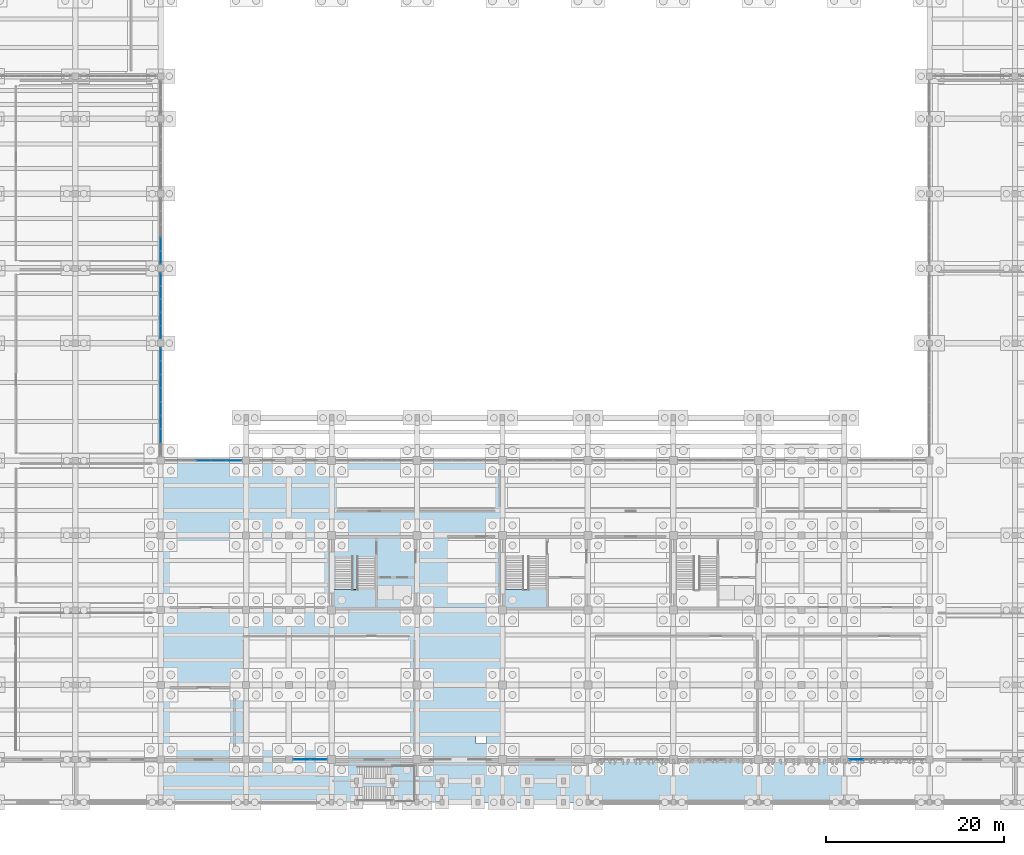
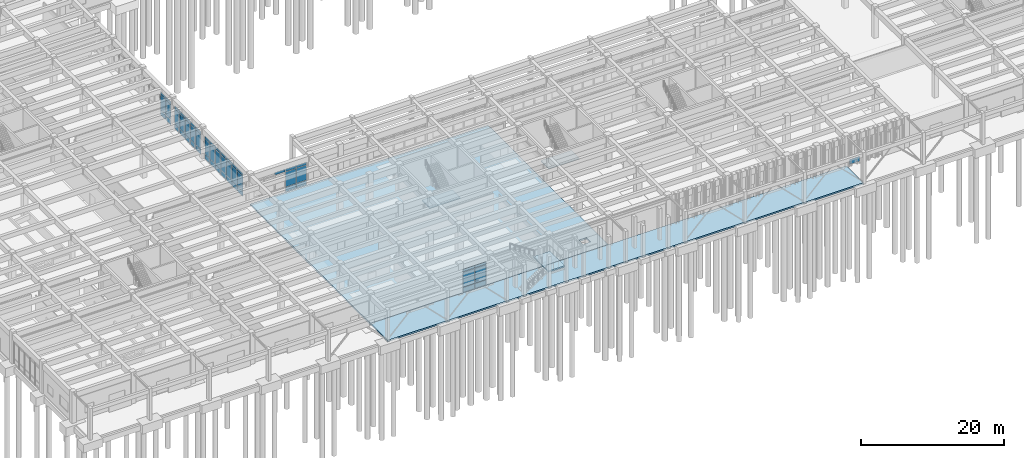
# One storey, part 57 of 102: 56 plates, 5 slabs, 9 elements without a shape of their own.
"""IFC4 building model written with IfcOpenShell, lengths in metres."""

from ifc_helpers import new_model, si_unit, direction, frame, origin, origin_2d, place, context, subcontext, project, spatial, polyline, rectangle, outline, extrude, material, layer, layer_set, type_object, element, aggregate, save


model = new_model("IFC4")

# Units and contexts
model_context = context("Model", 3, precision=1e-05, world=origin(), true_north=direction((0.0, 1.0)))
body_context = subcontext(model_context, "Body", "Model", "MODEL_VIEW")
ifc_project = project(units=[si_unit("LENGTHUNIT", "METRE"), si_unit("AREAUNIT", "SQUARE_METRE"), si_unit("VOLUMEUNIT", "CUBIC_METRE"), si_unit("PLANEANGLEUNIT", "RADIAN"), si_unit("MASSUNIT", "GRAM", prefix="KILO")], contexts=[model_context])

# Site, building, storey
site_placement = place(None, origin())
site = spatial("IfcSite", under=ifc_project, at=site_placement, CompositionType="ELEMENT")
building_placement = place(site_placement, origin())
building = spatial("IfcBuilding", under=site, at=building_placement, Name="Kolvemor Railside Polytechnic", CompositionType="ELEMENT")
storey_placement = place(building_placement, origin())
storey = spatial("IfcBuildingStorey", under=building, at=storey_placement, Name="L00", CompositionType="ELEMENT", Elevation=0.0)

# Curtain wall, plates
ifc_material_1 = material(Name="Anodised marine aluminium and laminated low-E glass", Category="aluminium")
ifc_layer_1 = layer(ifc_material_1, 0.179931640625, Name="CW-UNIT-STD")
ifc_layer_set_1 = layer_set([ifc_layer_1], Name="Anodised marine aluminium and laminated low-E glass")
curtain_wall_type = type_object("IfcCurtainWallType", Name="CW-UNIT-STD", PredefinedType="USERDEFINED", material=ifc_layer_set_1)
curtain_wall_1_placement = place(storey_placement, origin())
curtain_wall_1 = element("IfcCurtainWall", 1, at=curtain_wall_1_placement, inside=storey, type_object=curtain_wall_type, Name="Curtain Wall L00-106", ObjectType="UNITISED CURTAIN WALL", PredefinedType="USERDEFINED")
ifc_material_2 = material(Name="Hurricane-laminated solar-control low-E glass", Category="glass")
ifc_layer_2 = layer(ifc_material_2, 0.02392578125, Name="CWP-GLZ-02")
ifc_layer_set_2 = layer_set([ifc_layer_2], Name="Hurricane-laminated solar-control low-E glass")
plate_type_1 = type_object("IfcPlateType", Name="CWP-GLZ-02", PredefinedType="CURTAIN_PANEL", material=ifc_layer_set_2)
plate_1_placement = place(storey_placement, frame((56.247802734375, 38.39990234375, 0.06494140625), z_axis=(0.0, 0.0, 1.0), x_axis=(-1.0, 0.0, 0.0)))
plate_1 = element("IfcPlate", 2, at=plate_1_placement, type_object=plate_type_1, Name="CW-STD panel 1.1", PredefinedType="CURTAIN_PANEL", context=body_context, shape_type="SweptSolid", body=[
    extrude(rectangle(XDim=1.634521484375, YDim=0.02392578125, at=origin_2d()), origin(), (0.0, 0.0, 1.0), 0.802490234375),
])
plate_2_placement = place(storey_placement, frame((56.247802734375, 38.39990234375, 0.9326171875), z_axis=(0.0, 0.0, 1.0), x_axis=(-1.0, 0.0, 0.0)))
plate_2 = element("IfcPlate", 3, at=plate_2_placement, type_object=plate_type_1, Name="CW-STD panel 1.2", PredefinedType="CURTAIN_PANEL", context=body_context, shape_type="SweptSolid", body=[
    extrude(rectangle(XDim=1.634521484375, YDim=0.02392578125, at=origin_2d()), origin(), (0.0, 0.0, 1.0), 2.52490234375),
])
plate_3_placement = place(storey_placement, frame((56.247802734375, 38.39990234375, 3.5224609375), z_axis=(0.0, 0.0, 1.0), x_axis=(-1.0, 0.0, 0.0)))
plate_3 = element("IfcPlate", 4, at=plate_3_placement, type_object=plate_type_1, Name="CW-STD panel 1.3", PredefinedType="CURTAIN_PANEL", context=body_context, shape_type="SweptSolid", body=[
    extrude(rectangle(XDim=1.634521484375, YDim=0.02392578125, at=origin_2d()), origin(), (0.0, 0.0, 1.0), 0.452392578125),
])
plate_4_placement = place(storey_placement, frame((54.531982421875, 38.39990234375, 0.06494140625), z_axis=(0.0, 0.0, 1.0), x_axis=(-1.0, 0.0, 0.0)))
plate_4 = element("IfcPlate", 5, at=plate_4_placement, type_object=plate_type_1, Name="CW-STD panel 2.1", PredefinedType="CURTAIN_PANEL", context=body_context, shape_type="SweptSolid", body=[
    extrude(rectangle(XDim=1.6669921875, YDim=0.02392578125, at=origin_2d()), origin(), (0.0, 0.0, 1.0), 0.802490234375),
])
plate_5_placement = place(storey_placement, frame((54.531982421875, 38.39990234375, 0.9326171875), z_axis=(0.0, 0.0, 1.0), x_axis=(-1.0, 0.0, 0.0)))
plate_5 = element("IfcPlate", 6, at=plate_5_placement, type_object=plate_type_1, Name="CW-STD panel 2.2", PredefinedType="CURTAIN_PANEL", context=body_context, shape_type="SweptSolid", body=[
    extrude(rectangle(XDim=1.6669921875, YDim=0.02392578125, at=origin_2d()), origin(), (0.0, 0.0, 1.0), 2.52490234375),
])
plate_6_placement = place(storey_placement, frame((54.531982421875, 38.39990234375, 3.5224609375), z_axis=(0.0, 0.0, 1.0), x_axis=(-1.0, 0.0, 0.0)))
plate_6 = element("IfcPlate", 7, at=plate_6_placement, type_object=plate_type_1, Name="CW-STD panel 2.3", PredefinedType="CURTAIN_PANEL", context=body_context, shape_type="SweptSolid", body=[
    extrude(rectangle(XDim=1.6669921875, YDim=0.02392578125, at=origin_2d()), origin(), (0.0, 0.0, 1.0), 0.452392578125),
])
plate_7_placement = place(storey_placement, frame((52.800048828125, 38.39990234375, 3.5224609375), z_axis=(0.0, 0.0, 1.0), x_axis=(-1.0, 0.0, 0.0)))
plate_7 = element("IfcPlate", 8, at=plate_7_placement, type_object=plate_type_1, Name="CW-STD panel 3.3", PredefinedType="CURTAIN_PANEL", context=body_context, shape_type="SweptSolid", body=[
    extrude(rectangle(XDim=1.6669921875, YDim=0.02392578125, at=origin_2d()), origin(), (0.0, 0.0, 1.0), 0.452392578125),
])
aggregate(curtain_wall_1, [plate_1, plate_2, plate_3, plate_4, plate_5, plate_6, plate_7])

curtain_wall_2_placement = place(storey_placement, origin())
curtain_wall_2 = element("IfcCurtainWall", 9, at=curtain_wall_2_placement, inside=storey, type_object=curtain_wall_type, Name="Curtain Wall L00-055", ObjectType="UNITISED CURTAIN WALL", PredefinedType="USERDEFINED")
ifc_material_3 = material(Name="Hurricane-laminated solar-control low-E glass", Category="glass")
ifc_layer_3 = layer(ifc_material_3, 0.035888671875, Name="CWP-GLZ-08")
ifc_layer_set_3 = layer_set([ifc_layer_3], Name="Hurricane-laminated solar-control low-E glass")
plate_type_2 = type_object("IfcPlateType", Name="CWP-GLZ-08", PredefinedType="CURTAIN_PANEL", material=ifc_layer_set_3)
plate_8_placement = place(storey_placement, frame((48.0, 41.168701171875, 0.06494140625), z_axis=(0.0, 0.0, 1.0), x_axis=(0.0, 1.0, 0.0)))
plate_8 = element("IfcPlate", 10, at=plate_8_placement, type_object=plate_type_2, Name="CW-STD panel 2.1", PredefinedType="CURTAIN_PANEL", context=body_context, shape_type="SweptSolid", body=[
    extrude(rectangle(XDim=1.467529296875, YDim=0.035888671875, at=origin_2d()), origin(), (0.0, 0.0, 1.0), 0.802490234375),
])
plate_9_placement = place(storey_placement, frame((48.0, 41.168701171875, 0.9326171875), z_axis=(0.0, 0.0, 1.0), x_axis=(0.0, 1.0, 0.0)))
plate_9 = element("IfcPlate", 11, at=plate_9_placement, type_object=plate_type_2, Name="CW-STD panel 2.2", PredefinedType="CURTAIN_PANEL", context=body_context, shape_type="SweptSolid", body=[
    extrude(rectangle(XDim=1.467529296875, YDim=0.035888671875, at=origin_2d()), origin(), (0.0, 0.0, 1.0), 2.52490234375),
])
plate_10_placement = place(storey_placement, frame((48.0, 41.168701171875, 3.5224609375), z_axis=(0.0, 0.0, 1.0), x_axis=(0.0, 1.0, 0.0)))
plate_10 = element("IfcPlate", 12, at=plate_10_placement, type_object=plate_type_2, Name="CW-STD panel 2.3", PredefinedType="CURTAIN_PANEL", context=body_context, shape_type="SweptSolid", body=[
    extrude(rectangle(XDim=1.467529296875, YDim=0.035888671875, at=origin_2d()), origin(), (0.0, 0.0, 1.0), 0.452392578125),
])
plate_11_placement = place(storey_placement, frame((48.0, 42.701171875, 0.06494140625), z_axis=(0.0, 0.0, 1.0), x_axis=(0.0, 1.0, 0.0)))
plate_11 = element("IfcPlate", 13, at=plate_11_placement, type_object=plate_type_2, Name="CW-STD panel 3.1", PredefinedType="CURTAIN_PANEL", context=body_context, shape_type="SweptSolid", body=[
    extrude(rectangle(XDim=1.467529296875, YDim=0.035888671875, at=origin_2d()), origin(), (0.0, 0.0, 1.0), 0.802490234375),
])
plate_12_placement = place(storey_placement, frame((48.0, 42.701171875, 0.9326171875), z_axis=(0.0, 0.0, 1.0), x_axis=(0.0, 1.0, 0.0)))
plate_12 = element("IfcPlate", 14, at=plate_12_placement, type_object=plate_type_2, Name="CW-STD panel 3.2", PredefinedType="CURTAIN_PANEL", context=body_context, shape_type="SweptSolid", body=[
    extrude(rectangle(XDim=1.467529296875, YDim=0.035888671875, at=origin_2d()), origin(), (0.0, 0.0, 1.0), 2.52490234375),
])
plate_13_placement = place(storey_placement, frame((48.0, 42.701171875, 3.5224609375), z_axis=(0.0, 0.0, 1.0), x_axis=(0.0, 1.0, 0.0)))
plate_13 = element("IfcPlate", 15, at=plate_13_placement, type_object=plate_type_2, Name="CW-STD panel 3.3", PredefinedType="CURTAIN_PANEL", context=body_context, shape_type="SweptSolid", body=[
    extrude(rectangle(XDim=1.467529296875, YDim=0.035888671875, at=origin_2d()), origin(), (0.0, 0.0, 1.0), 0.452392578125),
])
plate_14_placement = place(storey_placement, frame((48.0, 44.233642578125, 0.06494140625), z_axis=(0.0, 0.0, 1.0), x_axis=(0.0, 1.0, 0.0)))
plate_14 = element("IfcPlate", 16, at=plate_14_placement, type_object=plate_type_2, Name="CW-STD panel 4.1", PredefinedType="CURTAIN_PANEL", context=body_context, shape_type="SweptSolid", body=[
    extrude(rectangle(XDim=1.467529296875, YDim=0.035888671875, at=origin_2d()), origin(), (0.0, 0.0, 1.0), 0.802490234375),
])
plate_15_placement = place(storey_placement, frame((48.0, 44.233642578125, 0.9326171875), z_axis=(0.0, 0.0, 1.0), x_axis=(0.0, 1.0, 0.0)))
plate_15 = element("IfcPlate", 17, at=plate_15_placement, type_object=plate_type_2, Name="CW-STD panel 4.2", PredefinedType="CURTAIN_PANEL", context=body_context, shape_type="SweptSolid", body=[
    extrude(rectangle(XDim=1.467529296875, YDim=0.035888671875, at=origin_2d()), origin(), (0.0, 0.0, 1.0), 2.52490234375),
])
plate_16_placement = place(storey_placement, frame((48.0, 44.233642578125, 3.5224609375), z_axis=(0.0, 0.0, 1.0), x_axis=(0.0, 1.0, 0.0)))
plate_16 = element("IfcPlate", 18, at=plate_16_placement, type_object=plate_type_2, Name="CW-STD panel 4.3", PredefinedType="CURTAIN_PANEL", context=body_context, shape_type="SweptSolid", body=[
    extrude(rectangle(XDim=1.467529296875, YDim=0.035888671875, at=origin_2d()), origin(), (0.0, 0.0, 1.0), 0.452392578125),
])
plate_17_placement = place(storey_placement, frame((48.0, 45.766357421875, 0.06494140625), z_axis=(0.0, 0.0, 1.0), x_axis=(0.0, 1.0, 0.0)))
plate_17 = element("IfcPlate", 19, at=plate_17_placement, type_object=plate_type_2, Name="CW-STD panel 5.1", PredefinedType="CURTAIN_PANEL", context=body_context, shape_type="SweptSolid", body=[
    extrude(rectangle(XDim=1.467529296875, YDim=0.035888671875, at=origin_2d()), origin(), (0.0, 0.0, 1.0), 0.802490234375),
])
plate_18_placement = place(storey_placement, frame((48.0, 45.766357421875, 0.9326171875), z_axis=(0.0, 0.0, 1.0), x_axis=(0.0, 1.0, 0.0)))
plate_18 = element("IfcPlate", 20, at=plate_18_placement, type_object=plate_type_2, Name="CW-STD panel 5.2", PredefinedType="CURTAIN_PANEL", context=body_context, shape_type="SweptSolid", body=[
    extrude(rectangle(XDim=1.467529296875, YDim=0.035888671875, at=origin_2d()), origin(), (0.0, 0.0, 1.0), 2.52490234375),
])
plate_19_placement = place(storey_placement, frame((48.0, 45.766357421875, 3.5224609375), z_axis=(0.0, 0.0, 1.0), x_axis=(0.0, 1.0, 0.0)))
plate_19 = element("IfcPlate", 21, at=plate_19_placement, type_object=plate_type_2, Name="CW-STD panel 5.3", PredefinedType="CURTAIN_PANEL", context=body_context, shape_type="SweptSolid", body=[
    extrude(rectangle(XDim=1.467529296875, YDim=0.035888671875, at=origin_2d()), origin(), (0.0, 0.0, 1.0), 0.452392578125),
])
plate_20_placement = place(storey_placement, frame((48.0, 47.298828125, 0.06494140625), z_axis=(0.0, 0.0, 1.0), x_axis=(0.0, 1.0, 0.0)))
plate_20 = element("IfcPlate", 22, at=plate_20_placement, type_object=plate_type_2, Name="CW-STD panel 6.1", PredefinedType="CURTAIN_PANEL", context=body_context, shape_type="SweptSolid", body=[
    extrude(rectangle(XDim=1.467529296875, YDim=0.035888671875, at=origin_2d()), origin(), (0.0, 0.0, 1.0), 0.802490234375),
])
plate_21_placement = place(storey_placement, frame((48.0, 47.298828125, 0.9326171875), z_axis=(0.0, 0.0, 1.0), x_axis=(0.0, 1.0, 0.0)))
plate_21 = element("IfcPlate", 23, at=plate_21_placement, type_object=plate_type_2, Name="CW-STD panel 6.2", PredefinedType="CURTAIN_PANEL", context=body_context, shape_type="SweptSolid", body=[
    extrude(rectangle(XDim=1.467529296875, YDim=0.035888671875, at=origin_2d()), origin(), (0.0, 0.0, 1.0), 2.52490234375),
])
plate_22_placement = place(storey_placement, frame((48.0, 47.298828125, 3.5224609375), z_axis=(0.0, 0.0, 1.0), x_axis=(0.0, 1.0, 0.0)))
plate_22 = element("IfcPlate", 24, at=plate_22_placement, type_object=plate_type_2, Name="CW-STD panel 6.3", PredefinedType="CURTAIN_PANEL", context=body_context, shape_type="SweptSolid", body=[
    extrude(rectangle(XDim=1.467529296875, YDim=0.035888671875, at=origin_2d()), origin(), (0.0, 0.0, 1.0), 0.452392578125),
])
plate_23_placement = place(storey_placement, frame((48.0, 48.831298828125, 0.06494140625), z_axis=(0.0, 0.0, 1.0), x_axis=(0.0, 1.0, 0.0)))
plate_23 = element("IfcPlate", 25, at=plate_23_placement, type_object=plate_type_2, Name="CW-STD panel 7.1", PredefinedType="CURTAIN_PANEL", context=body_context, shape_type="SweptSolid", body=[
    extrude(rectangle(XDim=1.467529296875, YDim=0.035888671875, at=origin_2d()), origin(), (0.0, 0.0, 1.0), 0.802490234375),
])
plate_24_placement = place(storey_placement, frame((48.0, 48.831298828125, 0.9326171875), z_axis=(0.0, 0.0, 1.0), x_axis=(0.0, 1.0, 0.0)))
plate_24 = element("IfcPlate", 26, at=plate_24_placement, type_object=plate_type_2, Name="CW-STD panel 7.2", PredefinedType="CURTAIN_PANEL", context=body_context, shape_type="SweptSolid", body=[
    extrude(rectangle(XDim=1.467529296875, YDim=0.035888671875, at=origin_2d()), origin(), (0.0, 0.0, 1.0), 2.52490234375),
])
plate_25_placement = place(storey_placement, frame((48.0, 48.831298828125, 3.5224609375), z_axis=(0.0, 0.0, 1.0), x_axis=(0.0, 1.0, 0.0)))
plate_25 = element("IfcPlate", 27, at=plate_25_placement, type_object=plate_type_2, Name="CW-STD panel 7.3", PredefinedType="CURTAIN_PANEL", context=body_context, shape_type="SweptSolid", body=[
    extrude(rectangle(XDim=1.467529296875, YDim=0.035888671875, at=origin_2d()), origin(), (0.0, 0.0, 1.0), 0.452392578125),
])
plate_26_placement = place(storey_placement, frame((48.0, 50.347412109375, 0.06494140625), z_axis=(0.0, 0.0, 1.0), x_axis=(0.0, 1.0, 0.0)))
plate_26 = element("IfcPlate", 28, at=plate_26_placement, type_object=plate_type_2, Name="CW-STD panel 8.1", PredefinedType="CURTAIN_PANEL", context=body_context, shape_type="SweptSolid", body=[
    extrude(rectangle(XDim=1.43505859375, YDim=0.035888671875, at=origin_2d()), origin(), (0.0, 0.0, 1.0), 0.802490234375),
])
plate_27_placement = place(storey_placement, frame((48.0, 50.347412109375, 0.9326171875), z_axis=(0.0, 0.0, 1.0), x_axis=(0.0, 1.0, 0.0)))
plate_27 = element("IfcPlate", 29, at=plate_27_placement, type_object=plate_type_2, Name="CW-STD panel 8.2", PredefinedType="CURTAIN_PANEL", context=body_context, shape_type="SweptSolid", body=[
    extrude(rectangle(XDim=1.43505859375, YDim=0.035888671875, at=origin_2d()), origin(), (0.0, 0.0, 1.0), 2.52490234375),
])
plate_28_placement = place(storey_placement, frame((48.0, 50.347412109375, 3.5224609375), z_axis=(0.0, 0.0, 1.0), x_axis=(0.0, 1.0, 0.0)))
plate_28 = element("IfcPlate", 30, at=plate_28_placement, type_object=plate_type_2, Name="CW-STD panel 8.3", PredefinedType="CURTAIN_PANEL", context=body_context, shape_type="SweptSolid", body=[
    extrude(rectangle(XDim=1.43505859375, YDim=0.035888671875, at=origin_2d()), origin(), (0.0, 0.0, 1.0), 0.452392578125),
])
aggregate(curtain_wall_2, [plate_8, plate_9, plate_10, plate_11, plate_12, plate_13, plate_14, plate_15, plate_16, plate_17, plate_18, plate_19, plate_20, plate_21, plate_22, plate_23, plate_24, plate_25, plate_26, plate_27, plate_28])

curtain_wall_3_placement = place(storey_placement, origin())
curtain_wall_3 = element("IfcCurtainWall", 31, at=curtain_wall_3_placement, inside=storey, type_object=curtain_wall_type, Name="Curtain Wall L00-065", ObjectType="UNITISED CURTAIN WALL", PredefinedType="USERDEFINED")
ifc_material_4 = material(Name="Hurricane-laminated solar-control low-E glass", Category="glass")
ifc_layer_4 = layer(ifc_material_4, 0.0380859375, Name="CWP-GLZ-09")
ifc_layer_set_4 = layer_set([ifc_layer_4], Name="Hurricane-laminated solar-control low-E glass")
plate_type_3 = type_object("IfcPlateType", Name="CWP-GLZ-09", PredefinedType="CURTAIN_PANEL", material=ifc_layer_set_4)
plate_29_placement = place(storey_placement, frame((48.0, 52.832275390625, 0.06494140625), z_axis=(0.0, 0.0, 1.0), x_axis=(0.0, 1.0, 0.0)))
plate_29 = element("IfcPlate", 32, at=plate_29_placement, type_object=plate_type_3, Name="CW-STD panel 1.1", PredefinedType="CURTAIN_PANEL", context=body_context, shape_type="SweptSolid", body=[
    extrude(rectangle(XDim=1.39453125, YDim=0.0380859375, at=origin_2d()), origin(), (0.0, 0.0, 1.0), 0.802490234375),
])
plate_30_placement = place(storey_placement, frame((48.0, 52.832275390625, 0.9326171875), z_axis=(0.0, 0.0, 1.0), x_axis=(0.0, 1.0, 0.0)))
plate_30 = element("IfcPlate", 33, at=plate_30_placement, type_object=plate_type_3, Name="CW-STD panel 1.2", PredefinedType="CURTAIN_PANEL", context=body_context, shape_type="SweptSolid", body=[
    extrude(rectangle(XDim=1.39453125, YDim=0.0380859375, at=origin_2d()), origin(), (0.0, 0.0, 1.0), 2.52490234375),
])
plate_31_placement = place(storey_placement, frame((48.0, 52.832275390625, 3.5224609375), z_axis=(0.0, 0.0, 1.0), x_axis=(0.0, 1.0, 0.0)))
plate_31 = element("IfcPlate", 34, at=plate_31_placement, type_object=plate_type_3, Name="CW-STD panel 1.3", PredefinedType="CURTAIN_PANEL", context=body_context, shape_type="SweptSolid", body=[
    extrude(rectangle(XDim=1.39453125, YDim=0.0380859375, at=origin_2d()), origin(), (0.0, 0.0, 1.0), 0.452392578125),
])
plate_32_placement = place(storey_placement, frame((48.0, 54.30810546875, 0.06494140625), z_axis=(0.0, 0.0, 1.0), x_axis=(0.0, 1.0, 0.0)))
plate_32 = element("IfcPlate", 35, at=plate_32_placement, type_object=plate_type_3, Name="CW-STD panel 2.1", PredefinedType="CURTAIN_PANEL", context=body_context, shape_type="SweptSolid", body=[
    extrude(rectangle(XDim=1.427001953125, YDim=0.0380859375, at=origin_2d()), origin(), (0.0, 0.0, 1.0), 0.802490234375),
])
plate_33_placement = place(storey_placement, frame((48.0, 54.30810546875, 0.9326171875), z_axis=(0.0, 0.0, 1.0), x_axis=(0.0, 1.0, 0.0)))
plate_33 = element("IfcPlate", 36, at=plate_33_placement, type_object=plate_type_3, Name="CW-STD panel 2.2", PredefinedType="CURTAIN_PANEL", context=body_context, shape_type="SweptSolid", body=[
    extrude(rectangle(XDim=1.427001953125, YDim=0.0380859375, at=origin_2d()), origin(), (0.0, 0.0, 1.0), 2.52490234375),
])
plate_34_placement = place(storey_placement, frame((48.0, 54.30810546875, 3.5224609375), z_axis=(0.0, 0.0, 1.0), x_axis=(0.0, 1.0, 0.0)))
plate_34 = element("IfcPlate", 37, at=plate_34_placement, type_object=plate_type_3, Name="CW-STD panel 2.3", PredefinedType="CURTAIN_PANEL", context=body_context, shape_type="SweptSolid", body=[
    extrude(rectangle(XDim=1.427001953125, YDim=0.0380859375, at=origin_2d()), origin(), (0.0, 0.0, 1.0), 0.452392578125),
])
plate_35_placement = place(storey_placement, frame((48.0, 55.800048828125, 0.06494140625), z_axis=(0.0, 0.0, 1.0), x_axis=(0.0, 1.0, 0.0)))
plate_35 = element("IfcPlate", 38, at=plate_35_placement, type_object=plate_type_3, Name="CW-STD panel 3.1", PredefinedType="CURTAIN_PANEL", context=body_context, shape_type="SweptSolid", body=[
    extrude(rectangle(XDim=1.427001953125, YDim=0.0380859375, at=origin_2d()), origin(), (0.0, 0.0, 1.0), 0.802490234375),
])
plate_36_placement = place(storey_placement, frame((48.0, 55.800048828125, 0.9326171875), z_axis=(0.0, 0.0, 1.0), x_axis=(0.0, 1.0, 0.0)))
plate_36 = element("IfcPlate", 39, at=plate_36_placement, type_object=plate_type_3, Name="CW-STD panel 3.2", PredefinedType="CURTAIN_PANEL", context=body_context, shape_type="SweptSolid", body=[
    extrude(rectangle(XDim=1.427001953125, YDim=0.0380859375, at=origin_2d()), origin(), (0.0, 0.0, 1.0), 2.52490234375),
])
plate_37_placement = place(storey_placement, frame((48.0, 55.800048828125, 3.5224609375), z_axis=(0.0, 0.0, 1.0), x_axis=(0.0, 1.0, 0.0)))
plate_37 = element("IfcPlate", 40, at=plate_37_placement, type_object=plate_type_3, Name="CW-STD panel 3.3", PredefinedType="CURTAIN_PANEL", context=body_context, shape_type="SweptSolid", body=[
    extrude(rectangle(XDim=1.427001953125, YDim=0.0380859375, at=origin_2d()), origin(), (0.0, 0.0, 1.0), 0.452392578125),
])
plate_38_placement = place(storey_placement, frame((48.0, 57.2919921875, 0.06494140625), z_axis=(0.0, 0.0, 1.0), x_axis=(0.0, 1.0, 0.0)))
plate_38 = element("IfcPlate", 41, at=plate_38_placement, type_object=plate_type_3, Name="CW-STD panel 4.1", PredefinedType="CURTAIN_PANEL", context=body_context, shape_type="SweptSolid", body=[
    extrude(rectangle(XDim=1.427001953125, YDim=0.0380859375, at=origin_2d()), origin(), (0.0, 0.0, 1.0), 0.802490234375),
])
plate_39_placement = place(storey_placement, frame((48.0, 57.2919921875, 0.9326171875), z_axis=(0.0, 0.0, 1.0), x_axis=(0.0, 1.0, 0.0)))
plate_39 = element("IfcPlate", 42, at=plate_39_placement, type_object=plate_type_3, Name="CW-STD panel 4.2", PredefinedType="CURTAIN_PANEL", context=body_context, shape_type="SweptSolid", body=[
    extrude(rectangle(XDim=1.427001953125, YDim=0.0380859375, at=origin_2d()), origin(), (0.0, 0.0, 1.0), 2.52490234375),
])
plate_40_placement = place(storey_placement, frame((48.0, 57.2919921875, 3.5224609375), z_axis=(0.0, 0.0, 1.0), x_axis=(0.0, 1.0, 0.0)))
plate_40 = element("IfcPlate", 43, at=plate_40_placement, type_object=plate_type_3, Name="CW-STD panel 4.3", PredefinedType="CURTAIN_PANEL", context=body_context, shape_type="SweptSolid", body=[
    extrude(rectangle(XDim=1.427001953125, YDim=0.0380859375, at=origin_2d()), origin(), (0.0, 0.0, 1.0), 0.452392578125),
])
plate_41_placement = place(storey_placement, frame((48.0, 58.767822265625, 0.06494140625), z_axis=(0.0, 0.0, 1.0), x_axis=(0.0, 1.0, 0.0)))
plate_41 = element("IfcPlate", 44, at=plate_41_placement, type_object=plate_type_3, Name="CW-STD panel 5.1", PredefinedType="CURTAIN_PANEL", context=body_context, shape_type="SweptSolid", body=[
    extrude(rectangle(XDim=1.39453125, YDim=0.0380859375, at=origin_2d()), origin(), (0.0, 0.0, 1.0), 0.802490234375),
])
plate_42_placement = place(storey_placement, frame((48.0, 58.767822265625, 0.9326171875), z_axis=(0.0, 0.0, 1.0), x_axis=(0.0, 1.0, 0.0)))
plate_42 = element("IfcPlate", 45, at=plate_42_placement, type_object=plate_type_3, Name="CW-STD panel 5.2", PredefinedType="CURTAIN_PANEL", context=body_context, shape_type="SweptSolid", body=[
    extrude(rectangle(XDim=1.39453125, YDim=0.0380859375, at=origin_2d()), origin(), (0.0, 0.0, 1.0), 2.52490234375),
])
plate_43_placement = place(storey_placement, frame((48.0, 58.767822265625, 3.5224609375), z_axis=(0.0, 0.0, 1.0), x_axis=(0.0, 1.0, 0.0)))
plate_43 = element("IfcPlate", 46, at=plate_43_placement, type_object=plate_type_3, Name="CW-STD panel 5.3", PredefinedType="CURTAIN_PANEL", context=body_context, shape_type="SweptSolid", body=[
    extrude(rectangle(XDim=1.39453125, YDim=0.0380859375, at=origin_2d()), origin(), (0.0, 0.0, 1.0), 0.452392578125),
])
aggregate(curtain_wall_3, [plate_29, plate_30, plate_31, plate_32, plate_33, plate_34, plate_35, plate_36, plate_37, plate_38, plate_39, plate_40, plate_41, plate_42, plate_43])

curtain_wall_4_placement = place(storey_placement, origin())
curtain_wall_4 = element("IfcCurtainWall", 47, at=curtain_wall_4_placement, inside=storey, type_object=curtain_wall_type, Name="Curtain Wall L00-094", ObjectType="UNITISED CURTAIN WALL", PredefinedType="USERDEFINED")
plate_44_placement = place(storey_placement, frame((63.853759765625, 4.800048828125, 0.074951171875), z_axis=(0.0, 0.0, 1.0), x_axis=(1.0, 0.0, 0.0)))
plate_44 = element("IfcPlate", 48, at=plate_44_placement, type_object=plate_type_3, Name="CW-STD panel 1.1", PredefinedType="CURTAIN_PANEL", context=body_context, shape_type="SweptSolid", body=[
    extrude(rectangle(XDim=1.8173828125, YDim=0.0380859375, at=origin_2d()), origin(), (0.0, 0.0, 1.0), 0.78759765625),
])
plate_45_placement = place(storey_placement, frame((63.853759765625, 4.800048828125, 0.9375), z_axis=(0.0, 0.0, 1.0), x_axis=(1.0, 0.0, 0.0)))
plate_45 = element("IfcPlate", 49, at=plate_45_placement, type_object=plate_type_3, Name="CW-STD panel 1.2", PredefinedType="CURTAIN_PANEL", context=body_context, shape_type="SweptSolid", body=[
    extrude(rectangle(XDim=1.8173828125, YDim=0.0380859375, at=origin_2d()), origin(), (0.0, 0.0, 1.0), 2.514892578125),
])
plate_46_placement = place(storey_placement, frame((63.853759765625, 4.800048828125, 3.527587890625), z_axis=(0.0, 0.0, 1.0), x_axis=(1.0, 0.0, 0.0)))
plate_46 = element("IfcPlate", 50, at=plate_46_placement, type_object=plate_type_3, Name="CW-STD panel 1.3", PredefinedType="CURTAIN_PANEL", context=body_context, shape_type="SweptSolid", body=[
    extrude(rectangle(XDim=1.8173828125, YDim=0.0380859375, at=origin_2d()), origin(), (0.0, 0.0, 1.0), 0.4375),
])
plate_47_placement = place(storey_placement, frame((65.746337890625, 4.800048828125, 0.074951171875), z_axis=(0.0, 0.0, 1.0), x_axis=(1.0, 0.0, 0.0)))
plate_47 = element("IfcPlate", 51, at=plate_47_placement, type_object=plate_type_3, Name="CW-STD panel 2.1", PredefinedType="CURTAIN_PANEL", context=body_context, shape_type="SweptSolid", body=[
    extrude(rectangle(XDim=1.8173828125, YDim=0.0380859375, at=origin_2d()), origin(), (0.0, 0.0, 1.0), 0.78759765625),
])
plate_48_placement = place(storey_placement, frame((65.746337890625, 4.800048828125, 0.9375), z_axis=(0.0, 0.0, 1.0), x_axis=(1.0, 0.0, 0.0)))
plate_48 = element("IfcPlate", 52, at=plate_48_placement, type_object=plate_type_3, Name="CW-STD panel 2.2", PredefinedType="CURTAIN_PANEL", context=body_context, shape_type="SweptSolid", body=[
    extrude(rectangle(XDim=1.8173828125, YDim=0.0380859375, at=origin_2d()), origin(), (0.0, 0.0, 1.0), 2.514892578125),
])
plate_49_placement = place(storey_placement, frame((65.746337890625, 4.800048828125, 3.527587890625), z_axis=(0.0, 0.0, 1.0), x_axis=(1.0, 0.0, 0.0)))
plate_49 = element("IfcPlate", 53, at=plate_49_placement, type_object=plate_type_3, Name="CW-STD panel 2.3", PredefinedType="CURTAIN_PANEL", context=body_context, shape_type="SweptSolid", body=[
    extrude(rectangle(XDim=1.8173828125, YDim=0.0380859375, at=origin_2d()), origin(), (0.0, 0.0, 1.0), 0.4375),
])
aggregate(curtain_wall_4, [plate_44, plate_45, plate_46, plate_47, plate_48, plate_49])

curtain_wall_5_placement = place(storey_placement, origin())
curtain_wall_5 = element("IfcCurtainWall", 54, at=curtain_wall_5_placement, inside=storey, type_object=curtain_wall_type, Name="Curtain Wall L00-075", ObjectType="UNITISED CURTAIN WALL", PredefinedType="USERDEFINED")
ifc_material_5 = material(Name="Hurricane-laminated solar-control low-E glass", Category="glass")
ifc_layer_5 = layer(ifc_material_5, 0.0400390625, Name="CWP-GLZ-10")
ifc_layer_set_5 = layer_set([ifc_layer_5], Name="Hurricane-laminated solar-control low-E glass")
plate_type_4 = type_object("IfcPlateType", Name="CWP-GLZ-10", PredefinedType="CURTAIN_PANEL", material=ifc_layer_set_5)
plate_50_placement = place(storey_placement, frame((48.0, 61.232177734375, 0.06494140625), z_axis=(0.0, 0.0, 1.0), x_axis=(0.0, 1.0, 0.0)))
plate_50 = element("IfcPlate", 55, at=plate_50_placement, type_object=plate_type_4, Name="CW-STD panel 1.1", PredefinedType="CURTAIN_PANEL", context=body_context, shape_type="SweptSolid", body=[
    extrude(rectangle(XDim=1.39453125, YDim=0.0400390625, at=origin_2d()), origin(), (0.0, 0.0, 1.0), 0.802490234375),
])
plate_51_placement = place(storey_placement, frame((48.0, 61.232177734375, 0.9326171875), z_axis=(0.0, 0.0, 1.0), x_axis=(0.0, 1.0, 0.0)))
plate_51 = element("IfcPlate", 56, at=plate_51_placement, type_object=plate_type_4, Name="CW-STD panel 1.2", PredefinedType="CURTAIN_PANEL", context=body_context, shape_type="SweptSolid", body=[
    extrude(rectangle(XDim=1.39453125, YDim=0.0400390625, at=origin_2d()), origin(), (0.0, 0.0, 1.0), 2.52490234375),
])
plate_52_placement = place(storey_placement, frame((48.0, 61.232177734375, 3.5224609375), z_axis=(0.0, 0.0, 1.0), x_axis=(0.0, 1.0, 0.0)))
plate_52 = element("IfcPlate", 57, at=plate_52_placement, type_object=plate_type_4, Name="CW-STD panel 1.3", PredefinedType="CURTAIN_PANEL", context=body_context, shape_type="SweptSolid", body=[
    extrude(rectangle(XDim=1.39453125, YDim=0.0400390625, at=origin_2d()), origin(), (0.0, 0.0, 1.0), 0.452392578125),
])
plate_53_placement = place(storey_placement, frame((48.0, 62.7080078125, 0.06494140625), z_axis=(0.0, 0.0, 1.0), x_axis=(0.0, 1.0, 0.0)))
plate_53 = element("IfcPlate", 58, at=plate_53_placement, type_object=plate_type_4, Name="CW-STD panel 2.1", PredefinedType="CURTAIN_PANEL", context=body_context, shape_type="SweptSolid", body=[
    extrude(rectangle(XDim=1.427001953125, YDim=0.0400390625, at=origin_2d()), origin(), (0.0, 0.0, 1.0), 0.802490234375),
])
plate_54_placement = place(storey_placement, frame((48.0, 62.7080078125, 0.9326171875), z_axis=(0.0, 0.0, 1.0), x_axis=(0.0, 1.0, 0.0)))
plate_54 = element("IfcPlate", 59, at=plate_54_placement, type_object=plate_type_4, Name="CW-STD panel 2.2", PredefinedType="CURTAIN_PANEL", context=body_context, shape_type="SweptSolid", body=[
    extrude(rectangle(XDim=1.427001953125, YDim=0.0400390625, at=origin_2d()), origin(), (0.0, 0.0, 1.0), 2.52490234375),
])
plate_55_placement = place(storey_placement, frame((48.0, 62.7080078125, 3.5224609375), z_axis=(0.0, 0.0, 1.0), x_axis=(0.0, 1.0, 0.0)))
plate_55 = element("IfcPlate", 60, at=plate_55_placement, type_object=plate_type_4, Name="CW-STD panel 2.3", PredefinedType="CURTAIN_PANEL", context=body_context, shape_type="SweptSolid", body=[
    extrude(rectangle(XDim=1.427001953125, YDim=0.0400390625, at=origin_2d()), origin(), (0.0, 0.0, 1.0), 0.452392578125),
])
aggregate(curtain_wall_5, [plate_50, plate_51, plate_52, plate_53, plate_54, plate_55])

# Curtain wall, plate
curtain_wall_6_placement = place(storey_placement, origin())
curtain_wall_6 = element("IfcCurtainWall", 61, at=curtain_wall_6_placement, inside=storey, type_object=curtain_wall_type, Name="Curtain Wall L00-095", ObjectType="UNITISED CURTAIN WALL", PredefinedType="USERDEFINED")
ifc_material_6 = material(Name="Hurricane-laminated solar-control low-E glass", Category="glass")
ifc_layer_6 = layer(ifc_material_6, 0.053955078125, Name="CWP-GLZ-17")
ifc_layer_set_6 = layer_set([ifc_layer_6], Name="Hurricane-laminated solar-control low-E glass")
plate_type_5 = type_object("IfcPlateType", Name="CWP-GLZ-17", PredefinedType="CURTAIN_PANEL", material=ifc_layer_set_6)
plate_56_placement = place(storey_placement, frame((126.15478515625, 4.800048828125, 0.074951171875), z_axis=(0.0, 0.0, 1.0), x_axis=(1.0, 0.0, 0.0)))
plate_56 = element("IfcPlate", 62, at=plate_56_placement, type_object=plate_type_5, Name="CW-STD panel 1.1", PredefinedType="CURTAIN_PANEL", context=body_context, shape_type="SweptSolid", body=[
    extrude(rectangle(XDim=1.619384765625, YDim=0.053955078125, at=origin_2d()), origin(), (0.0, 0.0, 1.0), 0.78759765625),
])
aggregate(curtain_wall_6, [plate_56])

# Slabs
ifc_material_7 = material(Name="Concrete C40/50", Category="concrete")
ifc_layer_7 = layer(ifc_material_7, 0.260009765625, Name="SLB-BASE-ARC")
ifc_layer_set_7 = layer_set([ifc_layer_7], Name="Concrete C40/50")
slab_type_1 = type_object("IfcSlabType", Name="SLB-BASE-ARC", PredefinedType="BASESLAB", material=ifc_layer_set_7)
slab_1_placement = place(storey_placement, frame((0.0, 0.0, -0.260009765625)))
element("IfcSlab", 63, at=slab_1_placement, inside=storey, type_object=slab_type_1, Name="South Storm Arcade Paving Slab L00-23", PredefinedType="BASESLAB", context=body_context, shape_type="SweptSolid", body=[
    extrude(outline(polyline([(48.0, 0.0), (124.800048828125, 0.0), (124.800048828125, 4.800048828125), (48.0, 4.800048828125), (48.0, 0.0)])), origin(), (0.0, 0.0, 1.0), 0.260009765625),
])
ifc_material_8 = material(Name="Concrete C40/50", Category="concrete")
ifc_layer_8 = layer(ifc_material_8, 0.300048828125, Name="SLB-BASE-STD")
ifc_layer_set_8 = layer_set([ifc_layer_8], Name="Concrete C40/50")
slab_type_2 = type_object("IfcSlabType", Name="SLB-BASE-STD", PredefinedType="BASESLAB", material=ifc_layer_set_8)
slab_2_placement = place(storey_placement, frame((0.0, 0.0, -0.300048828125)))
element("IfcSlab", 64, at=slab_2_placement, inside=storey, type_object=slab_type_2, Name="Main Stack Base Slab L00-14", PredefinedType="BASESLAB", context=body_context, shape_type="SweptSolid", body=[
    extrude(outline(polyline([(48.0, 4.800048828125), (86.39990234375, 4.800048828125), (86.39990234375, 38.39990234375), (48.0, 38.39990234375), (48.0, 4.800048828125)]), holes=[polyline([(83.39990234375, 6.60009765625), (84.60009765625, 6.60009765625), (84.60009765625, 7.800048828125), (83.39990234375, 7.800048828125), (83.39990234375, 6.60009765625)])]), origin(), (0.0, 0.0, 1.0), 0.300048828125),
])

# Stair, slab
ifc_material_9 = material(Name="Steel S355", Category="steel")
stair_type_1 = type_object("IfcStairType", Name="STR-EXT-ZIG", PredefinedType="HALF_TURN_STAIR", material=ifc_material_9)
stair_1_placement = place(storey_placement, origin())
stair_1 = element("IfcStair", 65, at=stair_1_placement, inside=storey, type_object=stair_type_1, Name="External Zigzag Terrace Stair (L00 to L01)", PredefinedType="HALF_TURN_STAIR")
ifc_material_10 = material(Name="Concrete C40/50", Category="concrete")
ifc_layer_9 = layer(ifc_material_10, 0.219970703125, Name="SLB-LND-170")
ifc_layer_set_9 = layer_set([ifc_layer_9], Name="Concrete C40/50")
slab_type_3 = type_object("IfcSlabType", Name="SLB-LND-170", PredefinedType="LANDING", material=ifc_layer_set_9)
slab_3_placement = place(storey_placement, frame((0.0, 0.0, 2.47998046875)))
slab_3 = element("IfcSlab", 66, at=slab_3_placement, type_object=slab_type_3, Name="ST-EXT-L00 landing 1", PredefinedType="LANDING", context=body_context, shape_type="SweptSolid", body=[
    extrude(outline(polyline([(73.949951171875, 0.050048828125), (76.6201171875, 0.050048828125), (76.6201171875, 4.14990234375), (73.949951171875, 4.14990234375), (73.949951171875, 0.050048828125)])), origin(), (0.0, 0.0, 1.0), 0.219970703125),
])
aggregate(stair_1, [slab_3])

ifc_material_11 = material(Name="Concrete C40/50", Category="concrete")
stair_type_2 = type_object("IfcStairType", Name="STR-CORE-540", PredefinedType="HALF_TURN_STAIR", material=ifc_material_11)
stair_2_placement = place(storey_placement, origin())
stair_2 = element("IfcStair", 67, at=stair_2_placement, inside=storey, type_object=stair_type_2, Name="Core Stair ST-1 (L00 to L01)", PredefinedType="HALF_TURN_STAIR")
ifc_material_12 = material(Name="Concrete C40/50", Category="concrete")
ifc_layer_10 = layer(ifc_material_12, 0.199951171875, Name="SLB-LND-200")
ifc_layer_set_10 = layer_set([ifc_layer_10], Name="Concrete C40/50")
slab_type_4 = type_object("IfcSlabType", Name="SLB-LND-200", PredefinedType="LANDING", material=ifc_layer_set_10)
slab_4_placement = place(storey_placement, frame((0.0, 0.0, 2.5)))
slab_4 = element("IfcSlab", 68, at=slab_4_placement, type_object=slab_type_4, Name="ST-1-L00 landing 1", PredefinedType="LANDING", context=body_context, shape_type="SweptSolid", body=[
    extrude(outline(polyline([(67.35009765625, 21.75), (72.300048828125, 21.75), (72.300048828125, 23.919921875), (67.35009765625, 23.919921875), (67.35009765625, 21.75)])), origin(), (0.0, 0.0, 1.0), 0.199951171875),
])
aggregate(stair_2, [slab_4])

stair_3_placement = place(storey_placement, origin())
stair_3 = element("IfcStair", 69, at=stair_3_placement, inside=storey, type_object=stair_type_2, Name="Core Stair ST-3 (L00 to L01)", PredefinedType="HALF_TURN_STAIR")
slab_5_placement = place(storey_placement, frame((0.0, 0.0, 2.5)))
slab_5 = element("IfcSlab", 70, at=slab_5_placement, type_object=slab_type_4, Name="ST-3-L00 landing 1", PredefinedType="LANDING", context=body_context, shape_type="SweptSolid", body=[
    extrude(outline(polyline([(86.550048828125, 21.75), (91.5, 21.75), (91.5, 23.919921875), (86.550048828125, 23.919921875), (86.550048828125, 21.75)])), origin(), (0.0, 0.0, 1.0), 0.199951171875),
])
aggregate(stair_3, [slab_5])

save(model, "model.ifc")
